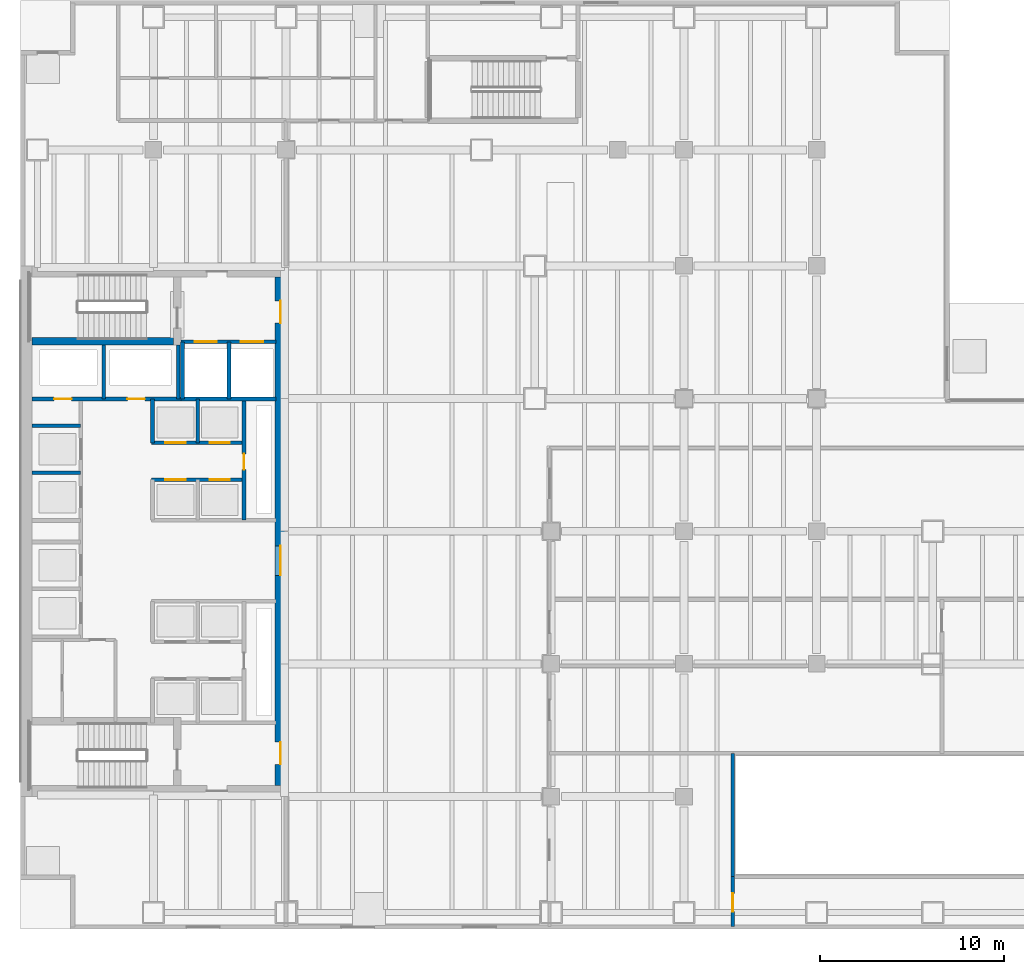
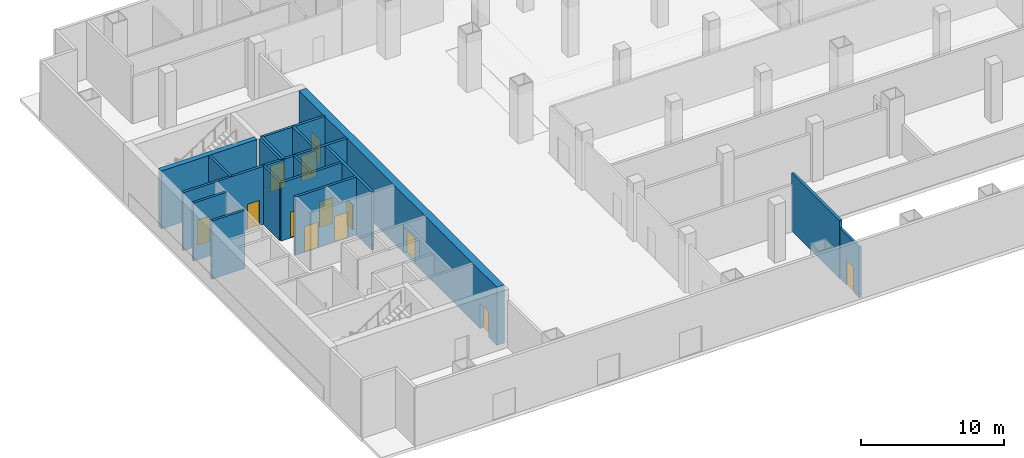
# One storey, part 10 of 17: 18 walls, 13 doors, 13 openings.
"""IFC4 building model written with IfcOpenShell, lengths in metres."""

from ifc_helpers import new_model, si_unit, direction, frame, frame_2d, origin, place, context, subcontext, project, spatial, rectangle, extrude, material, layer, layer_set, type_object, element, fill, save


model = new_model("IFC4")

# Units and contexts
model_context = context("Model", 3, precision=1e-05, world=origin(), true_north=direction((0.0, 1.0)))
body_context = subcontext(model_context, "Body", "Model", "MODEL_VIEW")
ifc_project = project(units=[si_unit("LENGTHUNIT", "METRE"), si_unit("AREAUNIT", "SQUARE_METRE"), si_unit("VOLUMEUNIT", "CUBIC_METRE"), si_unit("PLANEANGLEUNIT", "RADIAN"), si_unit("MASSUNIT", "GRAM", prefix="KILO")], contexts=[model_context])

# Site, building, storey
site_placement = place(None, origin())
site = spatial("IfcSite", under=ifc_project, at=site_placement, CompositionType="ELEMENT")
building_placement = place(site_placement, origin())
building = spatial("IfcBuilding", under=site, at=building_placement, Name="Cobrela Telecom Tower", CompositionType="ELEMENT")
storey_placement = place(building_placement, origin())
storey = spatial("IfcBuildingStorey", under=building, at=storey_placement, Name="L00", CompositionType="ELEMENT", Elevation=0.0)

# Wall, openings, doors
ifc_material_1 = material(Name="Concrete C50/60", Category="concrete")
ifc_layer_1 = layer(ifc_material_1, 0.60009765625)
ifc_layer_set_1 = layer_set([ifc_layer_1], Name="Concrete C50/60")
wall_type_1 = type_object("IfcWallType", Name="WALL-CORE-C50-600", PredefinedType="SHEAR", material=ifc_layer_set_1)
wall_1_placement = place(storey_placement, frame((14.10009765625, 35.39990234375, 0.0), z_axis=(0.0, 0.0, 1.0), x_axis=(0.0, -1.0, 0.0)))
wall_1 = element("IfcWall", 1, at=wall_1_placement, inside=storey, type_object=wall_type_1, Name="L00 East Core Shear Wall", PredefinedType="SHEAR", context=body_context, shape_type="SweptSolid", body=[
    extrude(rectangle(XDim=27.599853515625, YDim=0.60009765625, at=frame_2d((13.7998046875, 0.0))), origin(), (0.0, 0.0, 1.0), 4.949951171875),
])
opening_1_placement = place(wall_1_placement, frame((1.300048828125, 0.0, 0.0)))
opening_1 = element("IfcOpeningElement", 2, at=opening_1_placement, cuts=wall_1, Name="Opening DR-19", PredefinedType="OPENING", context=body_context, shape_type="SweptSolid", body=[
    extrude(rectangle(XDim=1.199951171875, YDim=2.14990234375, at=frame_2d((0.60009765625, 1.074951171875))), frame((0.0, 0.31201171875, 0.0), z_axis=(0.0, -1.0, 0.0), x_axis=(1.0, 0.0, 0.0)), (0.0, 0.0, 1.0), 0.6240234375),
])
opening_2_placement = place(wall_1_placement, frame((25.25, 0.0, 0.0)))
opening_2 = element("IfcOpeningElement", 3, at=opening_2_placement, cuts=wall_1, Name="Opening DR-19", PredefinedType="OPENING", context=body_context, shape_type="SweptSolid", body=[
    extrude(rectangle(XDim=1.199951171875, YDim=2.14990234375, at=frame_2d((0.60009765625, 1.074951171875))), frame((0.0, 0.31201171875, 0.0), z_axis=(0.0, -1.0, 0.0), x_axis=(1.0, 0.0, 0.0)), (0.0, 0.0, 1.0), 0.6240234375),
])
opening_3_placement = place(wall_1_placement, frame((14.60009765625, 0.0, 0.0)))
opening_3 = element("IfcOpeningElement", 4, at=opening_3_placement, cuts=wall_1, Name="Opening DR-51", PredefinedType="OPENING", context=body_context, shape_type="SweptSolid", body=[
    extrude(rectangle(XDim=1.60009765625, YDim=2.199951171875, at=frame_2d((0.800048828125, 1.10009765625))), frame((0.0, 0.31201171875, 0.0), z_axis=(0.0, -1.0, 0.0), x_axis=(1.0, 0.0, 0.0)), (0.0, 0.0, 1.0), 0.6240234375),
])
ifc_material_2 = material(Name="Steel ASTM A36", Category="steel")
door_type_1 = type_object("IfcDoorType", Name="DOOR-FD60-1200", OperationType="SINGLE_SWING_LEFT", PredefinedType="DOOR", material=ifc_material_2)
door_1_placement = place(opening_1_placement, origin())
door_1 = element("IfcDoor", 5, at=door_1_placement, inside=storey, type_object=door_type_1, Name="L00 Door DR-19", OperationType="SINGLE_SWING_LEFT", OverallHeight=2.14990234375, OverallWidth=1.199951171875, PredefinedType="DOOR", context=body_context, shape_type="SweptSolid", body=[
    extrude(rectangle(XDim=1.199951171875, YDim=2.14990234375, at=frame_2d((0.60009765625, 1.074951171875))), frame((0.0, 0.02490234375, 0.0), z_axis=(0.0, -1.0, 0.0), x_axis=(1.0, 0.0, 0.0)), (0.0, 0.0, 1.0), 0.050048828125),
])
fill(opening_1, door_1)
door_2_placement = place(opening_2_placement, origin())
door_2 = element("IfcDoor", 6, at=door_2_placement, inside=storey, type_object=door_type_1, Name="L00 Door DR-19", OperationType="SINGLE_SWING_RIGHT", OverallHeight=2.14990234375, OverallWidth=1.199951171875, PredefinedType="DOOR", context=body_context, shape_type="SweptSolid", body=[
    extrude(rectangle(XDim=1.199951171875, YDim=2.14990234375, at=frame_2d((0.60009765625, 1.074951171875))), frame((0.0, 0.02490234375, 0.0), z_axis=(0.0, -1.0, 0.0), x_axis=(1.0, 0.0, 0.0)), (0.0, 0.0, 1.0), 0.050048828125),
])
fill(opening_2, door_2)
door_type_2 = type_object("IfcDoorType", Name="DOOR-FD60-1600", OperationType="SINGLE_SWING_LEFT", PredefinedType="DOOR", material=ifc_material_2)
door_3_placement = place(opening_3_placement, origin())
door_3 = element("IfcDoor", 7, at=door_3_placement, inside=storey, type_object=door_type_2, Name="L00 Door DR-51", OperationType="DOUBLE_DOOR_SINGLE_SWING", OverallHeight=2.199951171875, OverallWidth=1.60009765625, PredefinedType="DOOR", context=body_context, shape_type="SweptSolid", body=[
    extrude(rectangle(XDim=1.60009765625, YDim=2.199951171875, at=frame_2d((0.800048828125, 1.10009765625))), frame((0.0, 0.02490234375, 0.0), z_axis=(0.0, -1.0, 0.0), x_axis=(1.0, 0.0, 0.0)), (0.0, 0.0, 1.0), 0.050048828125),
])
fill(opening_3, door_3)

# Wall, opening, door
ifc_material_3 = material(Name="Fire-Rated Gypsum Plasterboard")
ifc_layer_2 = layer(ifc_material_3, 0.175048828125)
ifc_layer_set_2 = layer_set([ifc_layer_2], Name="Fire-Rated Gypsum Plasterboard")
wall_type_2 = type_object("IfcWallType", Name="WALL-PART-175", PredefinedType="PARTITIONING", material=ifc_layer_set_2)
wall_2_placement = place(storey_placement, frame((38.64990234375, 0.14990234375, 0.0), z_axis=(0.0, 0.0, 1.0), x_axis=(0.0, 1.0, 0.0)))
wall_2 = element("IfcWall", 8, at=wall_2_placement, inside=storey, type_object=wall_type_2, Name="L00 Interior Partition W-RETS-W", PredefinedType="PARTITIONING", context=body_context, shape_type="SweptSolid", body=[
    extrude(rectangle(XDim=2.7001953125, YDim=0.175048828125, at=frame_2d((1.35009765625, 0.0))), origin(), (0.0, 0.0, 1.0), 4.31298828125),
])
opening_4_placement = place(wall_2_placement, frame((0.800048828125, 0.0, 0.0)))
opening_4 = element("IfcOpeningElement", 9, at=opening_4_placement, cuts=wall_2, Name="Opening DR-31", PredefinedType="OPENING", context=body_context, shape_type="SweptSolid", body=[
    extrude(rectangle(XDim=1.0, YDim=2.14990234375, at=frame_2d((0.5, 1.074951171875))), frame((0.0, 0.099609375, 0.0), z_axis=(0.0, -1.0, 0.0), x_axis=(1.0, 0.0, 0.0)), (0.0, 0.0, 1.0), 0.198974609375),
])
ifc_material_4 = material(Name="Solid Engineered Oak Timber", Category="wood")
door_type_3 = type_object("IfcDoorType", Name="DOOR-INT-1000", OperationType="SINGLE_SWING_LEFT", PredefinedType="DOOR", material=ifc_material_4)
door_4_placement = place(opening_4_placement, origin())
door_4 = element("IfcDoor", 10, at=door_4_placement, inside=storey, type_object=door_type_3, Name="L00 Door DR-31", OperationType="SINGLE_SWING_LEFT", OverallHeight=2.14990234375, OverallWidth=1.0, PredefinedType="DOOR", context=body_context, shape_type="SweptSolid", body=[
    extrude(rectangle(XDim=1.0, YDim=2.14990234375, at=frame_2d((0.5, 1.074951171875))), frame((0.0, 0.02490234375, 0.0), z_axis=(0.0, -1.0, 0.0), x_axis=(1.0, 0.0, 0.0)), (0.0, 0.0, 1.0), 0.050048828125),
])
fill(opening_4, door_4)

# Wall, openings, doors
ifc_layer_3 = layer(ifc_material_3, 0.199951171875)
ifc_layer_set_3 = layer_set([ifc_layer_3], Name="Fire-Rated Gypsum Plasterboard")
wall_type_3 = type_object("IfcWallType", Name="WALL-SHAFT-200", PredefinedType="PARTITIONING", material=ifc_layer_set_3)
wall_3_placement = place(storey_placement, frame((8.699951171875, 31.8798828125, 0.0), z_axis=(0.0, 0.0, 1.0), x_axis=(1.0, 0.0, 0.0)))
wall_3 = element("IfcWall", 11, at=wall_3_placement, inside=storey, type_object=wall_type_3, Name="L00 Shaft Enclosure CW-FFL-S", PredefinedType="PARTITIONING", context=body_context, shape_type="SweptSolid", body=[
    extrude(rectangle(XDim=5.150146484375, YDim=0.199951171875, at=frame_2d((2.5751953125, 0.0))), origin(), (0.0, 0.0, 1.0), 4.949951171875),
])
opening_5_placement = place(wall_3_placement, frame((0.75, 0.0, 0.0)))
opening_5 = element("IfcOpeningElement", 12, at=opening_5_placement, cuts=wall_3, Name="Opening LD-2", PredefinedType="OPENING", context=body_context, shape_type="SweptSolid", body=[
    extrude(rectangle(XDim=1.199951171875, YDim=2.199951171875, at=frame_2d((0.60009765625, 1.10009765625))), frame((0.0, 0.11181640625, 0.0), z_axis=(0.0, -1.0, 0.0), x_axis=(1.0, 0.0, 0.0)), (0.0, 0.0, 1.0), 0.223876953125),
])
opening_6_placement = place(wall_3_placement, frame((3.25, 0.0, 0.0)))
opening_6 = element("IfcOpeningElement", 13, at=opening_6_placement, cuts=wall_3, Name="Opening LD-2", PredefinedType="OPENING", context=body_context, shape_type="SweptSolid", body=[
    extrude(rectangle(XDim=1.199951171875, YDim=2.199951171875, at=frame_2d((0.60009765625, 1.10009765625))), frame((0.0, 0.11181640625, 0.0), z_axis=(0.0, -1.0, 0.0), x_axis=(1.0, 0.0, 0.0)), (0.0, 0.0, 1.0), 0.223876953125),
])
door_type_4 = type_object("IfcDoorType", Name="DOOR-LD-FFL", OperationType="SINGLE_SWING_LEFT", PredefinedType="DOOR", material=ifc_material_2)
door_5_placement = place(opening_5_placement, origin())
door_5 = element("IfcDoor", 14, at=door_5_placement, inside=storey, type_object=door_type_4, Name="L00 Lift Landing Door LD-2", OperationType="DOUBLE_DOOR_SLIDING", OverallHeight=2.199951171875, OverallWidth=1.199951171875, PredefinedType="DOOR", context=body_context, shape_type="SweptSolid", body=[
    extrude(rectangle(XDim=1.199951171875, YDim=2.199951171875, at=frame_2d((0.60009765625, 1.10009765625))), frame((0.0, 0.02490234375, 0.0), z_axis=(0.0, -1.0, 0.0), x_axis=(1.0, 0.0, 0.0)), (0.0, 0.0, 1.0), 0.050048828125),
])
fill(opening_5, door_5)
door_6_placement = place(opening_6_placement, origin())
door_6 = element("IfcDoor", 15, at=door_6_placement, inside=storey, type_object=door_type_4, Name="L00 Lift Landing Door LD-2", OperationType="DOUBLE_DOOR_SLIDING", OverallHeight=2.199951171875, OverallWidth=1.199951171875, PredefinedType="DOOR", context=body_context, shape_type="SweptSolid", body=[
    extrude(rectangle(XDim=1.199951171875, YDim=2.199951171875, at=frame_2d((0.60009765625, 1.10009765625))), frame((0.0, 0.02490234375, 0.0), z_axis=(0.0, -1.0, 0.0), x_axis=(1.0, 0.0, 0.0)), (0.0, 0.0, 1.0), 0.050048828125),
])
fill(opening_6, door_6)

# Walls
wall_4_placement = place(storey_placement, frame((8.699951171875, 28.780029296875, 0.0), z_axis=(0.0, 0.0, 1.0), x_axis=(1.0, 0.0, 0.0)))
element("IfcWall", 16, at=wall_4_placement, inside=storey, type_object=wall_type_3, Name="L00 Shaft Enclosure CW-FFL-S2", PredefinedType="PARTITIONING", context=body_context, shape_type="SweptSolid", body=[
    extrude(rectangle(XDim=5.150146484375, YDim=0.199951171875, at=frame_2d((2.5751953125, 0.0))), origin(), (0.0, 0.0, 1.0), 4.949951171875),
])
for number, where, z_axis, x_axis, name in (
    (17, (8.780029296875, 28.780029296875, 0.0), (0.0, 0.0, 1.0), (0.0, 1.0, 0.0), "L00 Shaft Enclosure CW-FFL-W"),
    (18, (11.300048828125, 28.780029296875, 0.0), (0.0, 0.0, 1.0), (0.0, 1.0, 0.0), "L00 Shaft Enclosure CW-FFL-M"),
):
    element("IfcWall", number, at=place(storey_placement, frame(where, z_axis=z_axis, x_axis=x_axis)), inside=storey, type_object=wall_type_3, Name=name, PredefinedType="PARTITIONING", context=body_context, shape_type="SweptSolid", body=[
        extrude(rectangle(XDim=3.099853515625, YDim=0.199951171875, at=frame_2d((1.5498046875, 0.0))), origin(), (0.0, 0.0, 1.0), 4.949951171875),
    ])

# Wall, openings, doors
wall_5_placement = place(storey_placement, frame((0.60009765625, 28.780029296875, 0.0), z_axis=(0.0, 0.0, 1.0), x_axis=(1.0, 0.0, 0.0)))
wall_5 = element("IfcWall", 19, at=wall_5_placement, inside=storey, type_object=wall_type_3, Name="L00 Shaft Enclosure CW-RIS-S", PredefinedType="PARTITIONING", context=body_context, shape_type="SweptSolid", body=[
    extrude(rectangle(XDim=8.179931640625, YDim=0.199951171875, at=frame_2d((4.08984375, 0.0))), origin(), (0.0, 0.0, 1.0), 4.949951171875),
])
opening_7_placement = place(wall_5_placement, frame((1.2099609375, 0.0, 0.0)))
opening_7 = element("IfcOpeningElement", 20, at=opening_7_placement, cuts=wall_5, Name="Opening DR-65", PredefinedType="OPENING", context=body_context, shape_type="SweptSolid", body=[
    extrude(rectangle(XDim=0.949951171875, YDim=2.14990234375, at=frame_2d((0.47509765625, 1.074951171875))), frame((0.0, 0.11181640625, 0.0), z_axis=(0.0, -1.0, 0.0), x_axis=(1.0, 0.0, 0.0)), (0.0, 0.0, 1.0), 0.223876953125),
])
opening_8_placement = place(wall_5_placement, frame((5.18994140625, 0.0, 0.0)))
opening_8 = element("IfcOpeningElement", 21, at=opening_8_placement, cuts=wall_5, Name="Opening DR-65", PredefinedType="OPENING", context=body_context, shape_type="SweptSolid", body=[
    extrude(rectangle(XDim=0.949951171875, YDim=2.14990234375, at=frame_2d((0.47509765625, 1.074951171875))), frame((0.0, 0.11181640625, 0.0), z_axis=(0.0, -1.0, 0.0), x_axis=(1.0, 0.0, 0.0)), (0.0, 0.0, 1.0), 0.223876953125),
])
door_type_5 = type_object("IfcDoorType", Name="DOOR-FD60-950", OperationType="SINGLE_SWING_LEFT", PredefinedType="DOOR", material=ifc_material_2)
door_7_placement = place(opening_7_placement, origin())
door_7 = element("IfcDoor", 22, at=door_7_placement, inside=storey, type_object=door_type_5, Name="L00 Door DR-65", OperationType="SINGLE_SWING_LEFT", OverallHeight=2.14990234375, OverallWidth=0.949951171875, PredefinedType="DOOR", context=body_context, shape_type="SweptSolid", body=[
    extrude(rectangle(XDim=0.949951171875, YDim=2.14990234375, at=frame_2d((0.47509765625, 1.074951171875))), frame((0.0, 0.02490234375, 0.0), z_axis=(0.0, -1.0, 0.0), x_axis=(1.0, 0.0, 0.0)), (0.0, 0.0, 1.0), 0.050048828125),
])
fill(opening_7, door_7)
door_8_placement = place(opening_8_placement, origin())
door_8 = element("IfcDoor", 23, at=door_8_placement, inside=storey, type_object=door_type_5, Name="L00 Door DR-65", OperationType="SINGLE_SWING_RIGHT", OverallHeight=2.14990234375, OverallWidth=0.949951171875, PredefinedType="DOOR", context=body_context, shape_type="SweptSolid", body=[
    extrude(rectangle(XDim=0.949951171875, YDim=2.14990234375, at=frame_2d((0.47509765625, 1.074951171875))), frame((0.0, 0.02490234375, 0.0), z_axis=(0.0, -1.0, 0.0), x_axis=(1.0, 0.0, 0.0)), (0.0, 0.0, 1.0), 0.050048828125),
])
fill(opening_8, door_8)

# Walls
for number, where, z_axis, x_axis, name in (
    (24, (4.5, 28.780029296875, 0.0), (0.0, 0.0, 1.0), (0.0, 1.0, 0.0), "L00 Shaft Enclosure CW-RIS-M"),
    (25, (8.550048828125, 28.780029296875, 0.0), (0.0, 0.0, 1.0), (0.0, 1.0, 0.0), "L00 Shaft Enclosure CW-RIS-E"),
):
    element("IfcWall", number, at=place(storey_placement, frame(where, z_axis=z_axis, x_axis=x_axis)), inside=storey, type_object=wall_type_3, Name=name, PredefinedType="PARTITIONING", context=body_context, shape_type="SweptSolid", body=[
        extrude(rectangle(XDim=2.93994140625, YDim=0.199951171875, at=frame_2d((1.469970703125, 0.0))), origin(), (0.0, 0.0, 1.0), 4.949951171875),
    ])
for number, where, z_axis, x_axis, name in (
    (26, (0.60009765625, 24.780029296875, 0.0), (0.0, 0.0, 1.0), (1.0, 0.0, 0.0), "L00 Shaft Enclosure CW-PLH-D12"),
    (27, (0.60009765625, 27.320068359375, 0.0), (0.0, 0.0, 1.0), (1.0, 0.0, 0.0), "L00 Shaft Enclosure CW-PLH-TOP"),
):
    element("IfcWall", number, at=place(storey_placement, frame(where, z_axis=z_axis, x_axis=x_axis)), inside=storey, type_object=wall_type_3, Name=name, PredefinedType="PARTITIONING", context=body_context, shape_type="SweptSolid", body=[
        extrude(rectangle(XDim=2.64990234375, YDim=0.199951171875, at=frame_2d((1.324951171875, 0.0))), origin(), (0.0, 0.0, 1.0), 4.949951171875),
    ])

# Wall, openings, doors
wall_6_placement = place(storey_placement, frame((7.10009765625, 24.39990234375, 0.0), z_axis=(0.0, 0.0, 1.0), x_axis=(1.0, 0.0, 0.0)))
wall_6 = element("IfcWall", 28, at=wall_6_placement, inside=storey, type_object=wall_type_3, Name="L00 Shaft Enclosure CW-PLL-S", PredefinedType="PARTITIONING", context=body_context, shape_type="SweptSolid", body=[
    extrude(rectangle(XDim=5.02001953125, YDim=0.199951171875, at=frame_2d((2.510009765625, 0.0))), origin(), (0.0, 0.0, 1.0), 4.949951171875),
])
opening_9_placement = place(wall_6_placement, frame((0.75, 0.0, 0.0)))
opening_9 = element("IfcOpeningElement", 29, at=opening_9_placement, cuts=wall_6, Name="Opening LD-1", PredefinedType="OPENING", context=body_context, shape_type="SweptSolid", body=[
    extrude(rectangle(XDim=1.10009765625, YDim=2.199951171875, at=frame_2d((0.550048828125, 1.10009765625))), frame((0.0, 0.11181640625, 0.0), z_axis=(0.0, -1.0, 0.0), x_axis=(1.0, 0.0, 0.0)), (0.0, 0.0, 1.0), 0.223876953125),
])
opening_10_placement = place(wall_6_placement, frame((3.14990234375, 0.0, 0.0)))
opening_10 = element("IfcOpeningElement", 30, at=opening_10_placement, cuts=wall_6, Name="Opening LD-1", PredefinedType="OPENING", context=body_context, shape_type="SweptSolid", body=[
    extrude(rectangle(XDim=1.10009765625, YDim=2.199951171875, at=frame_2d((0.550048828125, 1.10009765625))), frame((0.0, 0.11181640625, 0.0), z_axis=(0.0, -1.0, 0.0), x_axis=(1.0, 0.0, 0.0)), (0.0, 0.0, 1.0), 0.223876953125),
])
door_type_6 = type_object("IfcDoorType", Name="DOOR-LD-PL", OperationType="SINGLE_SWING_LEFT", PredefinedType="DOOR", material=ifc_material_2)
door_9_placement = place(opening_9_placement, origin())
door_9 = element("IfcDoor", 31, at=door_9_placement, inside=storey, type_object=door_type_6, Name="L00 Lift Landing Door LD-1", OperationType="DOUBLE_DOOR_SLIDING", OverallHeight=2.199951171875, OverallWidth=1.10009765625, PredefinedType="DOOR", context=body_context, shape_type="SweptSolid", body=[
    extrude(rectangle(XDim=1.10009765625, YDim=2.199951171875, at=frame_2d((0.550048828125, 1.10009765625))), frame((0.0, 0.02490234375, 0.0), z_axis=(0.0, -1.0, 0.0), x_axis=(1.0, 0.0, 0.0)), (0.0, 0.0, 1.0), 0.050048828125),
])
fill(opening_9, door_9)
door_10_placement = place(opening_10_placement, origin())
door_10 = element("IfcDoor", 32, at=door_10_placement, inside=storey, type_object=door_type_6, Name="L00 Lift Landing Door LD-1", OperationType="DOUBLE_DOOR_SLIDING", OverallHeight=2.199951171875, OverallWidth=1.10009765625, PredefinedType="DOOR", context=body_context, shape_type="SweptSolid", body=[
    extrude(rectangle(XDim=1.10009765625, YDim=2.199951171875, at=frame_2d((0.550048828125, 1.10009765625))), frame((0.0, 0.02490234375, 0.0), z_axis=(0.0, -1.0, 0.0), x_axis=(1.0, 0.0, 0.0)), (0.0, 0.0, 1.0), 0.050048828125),
])
fill(opening_10, door_10)

wall_7_placement = place(storey_placement, frame((7.10009765625, 26.39990234375, 0.0), z_axis=(0.0, 0.0, 1.0), x_axis=(1.0, 0.0, 0.0)))
wall_7 = element("IfcWall", 33, at=wall_7_placement, inside=storey, type_object=wall_type_3, Name="L00 Shaft Enclosure CW-PLL-N", PredefinedType="PARTITIONING", context=body_context, shape_type="SweptSolid", body=[
    extrude(rectangle(XDim=5.02001953125, YDim=0.199951171875, at=frame_2d((2.510009765625, 0.0))), origin(), (0.0, 0.0, 1.0), 4.949951171875),
])
opening_11_placement = place(wall_7_placement, frame((0.75, 0.0, 0.0)))
opening_11 = element("IfcOpeningElement", 34, at=opening_11_placement, cuts=wall_7, Name="Opening LD-1", PredefinedType="OPENING", context=body_context, shape_type="SweptSolid", body=[
    extrude(rectangle(XDim=1.10009765625, YDim=2.199951171875, at=frame_2d((0.550048828125, 1.10009765625))), frame((0.0, 0.11181640625, 0.0), z_axis=(0.0, -1.0, 0.0), x_axis=(1.0, 0.0, 0.0)), (0.0, 0.0, 1.0), 0.223876953125),
])
opening_12_placement = place(wall_7_placement, frame((3.14990234375, 0.0, 0.0)))
opening_12 = element("IfcOpeningElement", 35, at=opening_12_placement, cuts=wall_7, Name="Opening LD-1", PredefinedType="OPENING", context=body_context, shape_type="SweptSolid", body=[
    extrude(rectangle(XDim=1.10009765625, YDim=2.199951171875, at=frame_2d((0.550048828125, 1.10009765625))), frame((0.0, 0.11181640625, 0.0), z_axis=(0.0, -1.0, 0.0), x_axis=(1.0, 0.0, 0.0)), (0.0, 0.0, 1.0), 0.223876953125),
])
door_11_placement = place(opening_11_placement, origin())
door_11 = element("IfcDoor", 36, at=door_11_placement, inside=storey, type_object=door_type_6, Name="L00 Lift Landing Door LD-1", OperationType="DOUBLE_DOOR_SLIDING", OverallHeight=2.199951171875, OverallWidth=1.10009765625, PredefinedType="DOOR", context=body_context, shape_type="SweptSolid", body=[
    extrude(rectangle(XDim=1.10009765625, YDim=2.199951171875, at=frame_2d((0.550048828125, 1.10009765625))), frame((0.0, 0.02490234375, 0.0), z_axis=(0.0, -1.0, 0.0), x_axis=(1.0, 0.0, 0.0)), (0.0, 0.0, 1.0), 0.050048828125),
])
fill(opening_11, door_11)
door_12_placement = place(opening_12_placement, origin())
door_12 = element("IfcDoor", 37, at=door_12_placement, inside=storey, type_object=door_type_6, Name="L00 Lift Landing Door LD-1", OperationType="DOUBLE_DOOR_SLIDING", OverallHeight=2.199951171875, OverallWidth=1.10009765625, PredefinedType="DOOR", context=body_context, shape_type="SweptSolid", body=[
    extrude(rectangle(XDim=1.10009765625, YDim=2.199951171875, at=frame_2d((0.550048828125, 1.10009765625))), frame((0.0, 0.02490234375, 0.0), z_axis=(0.0, -1.0, 0.0), x_axis=(1.0, 0.0, 0.0)), (0.0, 0.0, 1.0), 0.050048828125),
])
fill(opening_12, door_12)

# Walls
for number, where, z_axis, x_axis, name in (
    (38, (7.14990234375, 26.39990234375, 0.0), (0.0, 0.0, 1.0), (0.0, 1.0, 0.0), "L00 Shaft Enclosure CW-PLL-V1B"),
    (39, (9.60009765625, 26.39990234375, 0.0), (0.0, 0.0, 1.0), (0.0, 1.0, 0.0), "L00 Shaft Enclosure CW-PLL-V2B"),
):
    element("IfcWall", number, at=place(storey_placement, frame(where, z_axis=z_axis, x_axis=x_axis)), inside=storey, type_object=wall_type_3, Name=name, PredefinedType="PARTITIONING", context=body_context, shape_type="SweptSolid", body=[
        extrude(rectangle(XDim=2.380126953125, YDim=0.199951171875, at=frame_2d((1.18994140625, 0.0))), origin(), (0.0, 0.0, 1.0), 4.949951171875),
    ])

# Wall, opening, door
wall_8_placement = place(storey_placement, frame((12.1201171875, 22.199951171875, 0.0), z_axis=(0.0, 0.0, 1.0), x_axis=(0.0, 1.0, 0.0)))
wall_8 = element("IfcWall", 40, at=wall_8_placement, inside=storey, type_object=wall_type_3, Name="L00 Shaft Enclosure CW-PLL-V3", PredefinedType="PARTITIONING", context=body_context, shape_type="SweptSolid", body=[
    extrude(rectangle(XDim=6.580078125, YDim=0.199951171875, at=frame_2d((3.2900390625, 0.0))), origin(), (0.0, 0.0, 1.0), 4.949951171875),
])
opening_13_placement = place(wall_8_placement, frame((2.75, 0.0, 0.0)))
opening_13 = element("IfcOpeningElement", 41, at=opening_13_placement, cuts=wall_8, Name="Opening DR-11", PredefinedType="OPENING", context=body_context, shape_type="SweptSolid", body=[
    extrude(rectangle(XDim=0.85009765625, YDim=2.14990234375, at=frame_2d((0.425048828125, 1.074951171875))), frame((0.0, 0.11181640625, 0.0), z_axis=(0.0, -1.0, 0.0), x_axis=(1.0, 0.0, 0.0)), (0.0, 0.0, 1.0), 0.223876953125),
])
door_type_7 = type_object("IfcDoorType", Name="DOOR-INT-850", OperationType="SINGLE_SWING_LEFT", PredefinedType="DOOR", material=ifc_material_4)
door_13_placement = place(opening_13_placement, origin())
door_13 = element("IfcDoor", 42, at=door_13_placement, inside=storey, type_object=door_type_7, Name="L00 Door DR-11", OperationType="SINGLE_SWING_LEFT", OverallHeight=2.14990234375, OverallWidth=0.85009765625, PredefinedType="DOOR", context=body_context, shape_type="SweptSolid", body=[
    extrude(rectangle(XDim=0.85009765625, YDim=2.14990234375, at=frame_2d((0.425048828125, 1.074951171875))), frame((0.0, 0.02490234375, 0.0), z_axis=(0.0, -1.0, 0.0), x_axis=(1.0, 0.0, 0.0)), (0.0, 0.0, 1.0), 0.050048828125),
])
fill(opening_13, door_13)

# Walls
wall_9_placement = place(storey_placement, frame((38.64990234375, 2.85009765625, 0.0), z_axis=(0.0, 0.0, 1.0), x_axis=(0.0, 1.0, 0.0)))
element("IfcWall", 43, at=wall_9_placement, inside=storey, type_object=wall_type_3, Name="L00 Shaft Enclosure W-RAMP-W", PredefinedType="PARTITIONING", context=body_context, shape_type="SweptSolid", body=[
    extrude(rectangle(XDim=6.699951171875, YDim=0.199951171875, at=frame_2d((3.35009765625, 0.0))), origin(), (0.0, 0.0, 1.0), 4.949951171875),
])
ifc_material_5 = material(Name="Concrete C40/50", Category="concrete")
ifc_layer_4 = layer(ifc_material_5, 0.39990234375)
ifc_layer_set_4 = layer_set([ifc_layer_4], Name="Concrete C40/50")
wall_type_4 = type_object("IfcWallType", Name="WALL-SHAFT-C40-400", PredefinedType="SHEAR", material=ifc_layer_set_4)
wall_10_placement = place(storey_placement, frame((0.60009765625, 31.919921875, 0.0), z_axis=(0.0, 0.0, 1.0), x_axis=(1.0, 0.0, 0.0)))
element("IfcWall", 44, at=wall_10_placement, inside=storey, type_object=wall_type_4, Name="L00 North Stair Shear Wall", PredefinedType="SHEAR", context=body_context, shape_type="SweptSolid", body=[
    extrude(rectangle(XDim=7.699951171875, YDim=0.39990234375, at=frame_2d((3.85009765625, 0.0))), origin(), (0.0, 0.0, 1.0), 4.949951171875),
])

save(model, "model.ifc")
